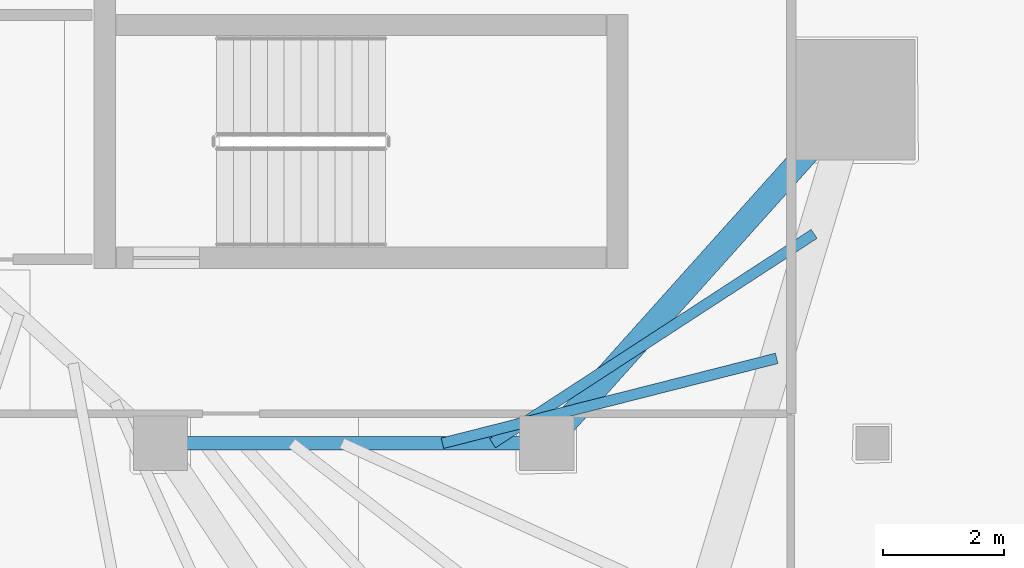
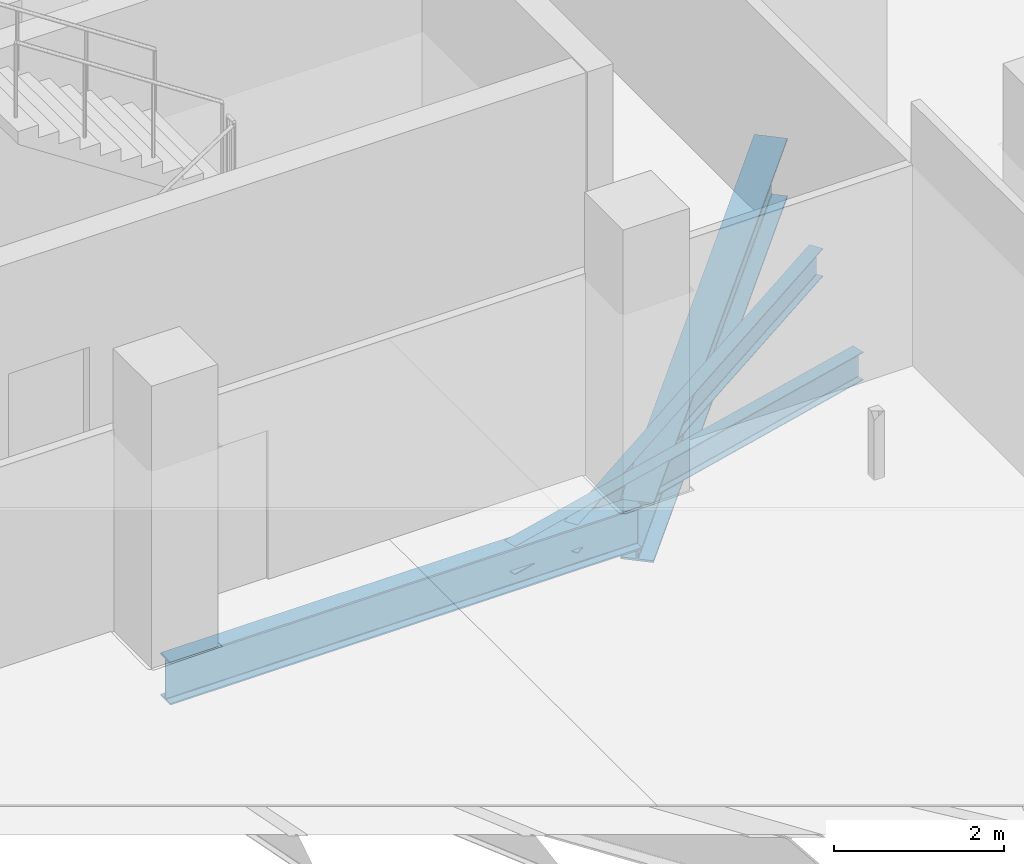
# One storey, part 13 of 36: 4 beams.
"""IFC4 building model written with IfcOpenShell, lengths in metres."""

from ifc_helpers import new_model, si_unit, direction, frame, origin, origin_2d, place, context, subcontext, project, spatial, i_section, extrude, material, material_profile, profile_set, type_object, element, save


model = new_model("IFC4")

# Units and contexts
model_context = context("Model", 3, precision=1e-05, world=origin(), true_north=direction((0.0, 1.0)))
body_context = subcontext(model_context, "Body", "Model", "MODEL_VIEW")
ifc_project = project(units=[si_unit("LENGTHUNIT", "METRE"), si_unit("AREAUNIT", "SQUARE_METRE"), si_unit("VOLUMEUNIT", "CUBIC_METRE"), si_unit("PLANEANGLEUNIT", "RADIAN"), si_unit("MASSUNIT", "GRAM", prefix="KILO")], contexts=[model_context])

# Site, building, storey
site_placement = place(None, origin())
site = spatial("IfcSite", under=ifc_project, at=site_placement, CompositionType="ELEMENT")
building_placement = place(site_placement, origin())
building = spatial("IfcBuilding", under=site, at=building_placement, Name="Qorvath Tower", CompositionType="ELEMENT")
storey_placement = place(building_placement, frame((0.0, 0.0, 192.89990234375)))
storey = spatial("IfcBuildingStorey", under=building, at=storey_placement, Name="L44", CompositionType="ELEMENT", Elevation=192.89990234375)

# Beams
ifc_material_1 = material(Name="Steel ASTM A992 Grade 50", Category="steel")
ifc_material_profile_1 = material_profile(ifc_material_1, i_section(OverallWidth=0.39892578125, OverallDepth=0.85498046875, WebThickness=0.018310546875, FlangeThickness=0.029296875, FilletRadius=0.02001953125, at=origin_2d()), Name="W33x201")
ifc_profile_set_1 = profile_set([ifc_material_profile_1], Name="Steel ASTM A992 Grade 50")
beam_type_1 = type_object("IfcBeamType", Name="BM-FG2", PredefinedType="BEAM", material=ifc_profile_set_1)
beam_1_placement = place(storey_placement, frame((-17.199951171875, -11.449951171875, -0.697509765625), z_axis=(0.667543184261, 0.744571082669, 0.0), x_axis=(-0.744571082669, 0.667543184261, 0.0)))
element("IfcBeam", 1, at=beam_1_placement, inside=storey, type_object=beam_type_1, Name="Radial Floor Girder CC3-MC4 L44", PredefinedType="BEAM", context=body_context, shape_type="SweptSolid", body=[
    extrude(i_section(OverallWidth=0.39892578125, OverallDepth=0.85498046875, WebThickness=0.018310546875, FlangeThickness=0.029296875, FilletRadius=0.02001953125, at=origin_2d()), origin(), (0.0, 0.0, 1.0), 7.644775390625),
])
ifc_material_2 = material(Name="Steel ASTM A992 Grade 50", Category="steel")
ifc_material_profile_2 = material_profile(ifc_material_2, i_section(OverallWidth=0.22998046875, OverallDepth=0.616943359375, WebThickness=0.01318359375, FlangeThickness=0.022216796875, FilletRadius=0.014892578125, at=origin_2d()), Name="W24x94")
ifc_profile_set_2 = profile_set([ifc_material_profile_2], Name="Steel ASTM A992 Grade 50")
beam_type_2 = type_object("IfcBeamType", Name="BM-FG6", PredefinedType="BEAM", material=ifc_profile_set_2)
beam_2_placement = place(storey_placement, frame((-17.199951171875, -11.449951171875, -0.57861328125), z_axis=(-1.0, 0.0, 0.0), x_axis=(0.0, -1.0, 0.0)))
element("IfcBeam", 2, at=beam_2_placement, inside=storey, type_object=beam_type_2, Name="Core Ring Girder CC3-CC4 L44", PredefinedType="BEAM", context=body_context, shape_type="SweptSolid", body=[
    extrude(i_section(OverallWidth=0.22998046875, OverallDepth=0.616943359375, WebThickness=0.01318359375, FlangeThickness=0.022216796875, FilletRadius=0.014892578125, at=origin_2d()), origin(), (0.0, 0.0, 1.0), 6.400146484375),
])
ifc_material_3 = material(Name="Steel ASTM A992 Grade 50", Category="steel")
ifc_material_profile_3 = material_profile(ifc_material_3, i_section(OverallWidth=0.177978515625, OverallDepth=0.406005859375, WebThickness=0.0078125, FlangeThickness=0.0126953125, FilletRadius=0.010986328125, at=origin_2d()), Name="W16x40")
ifc_profile_set_3 = profile_set([ifc_material_profile_3], Name="Steel ASTM A992 Grade 50")
beam_type_3 = type_object("IfcBeamType", Name="BM-FJ3", PredefinedType="JOIST", material=ifc_profile_set_3)
beam_3_placement = place(storey_placement, frame((-18.095947265625, -11.449951171875, -0.472900390625), z_axis=(0.838041756057, 0.545606098853, 0.0), x_axis=(-0.545606098853, 0.838041756057, 0.0)))
element("IfcBeam", 3, at=beam_3_placement, inside=storey, type_object=beam_type_3, Name="Composite Floor Joist SE1 L44", PredefinedType="JOIST", context=body_context, shape_type="SweptSolid", body=[
    extrude(i_section(OverallWidth=0.177978515625, OverallDepth=0.406005859375, WebThickness=0.0078125, FlangeThickness=0.0126953125, FilletRadius=0.010986328125, at=origin_2d()), origin(), (0.0, 0.0, 1.0), 6.36083984375),
])
beam_4_placement = place(storey_placement, frame((-18.927978515625, -11.449951171875, -0.472900390625), z_axis=(0.969231577698, 0.246150662794, 0.0), x_axis=(-0.246150662794, 0.969231577698, 0.0)))
element("IfcBeam", 4, at=beam_4_placement, inside=storey, type_object=beam_type_3, Name="Composite Floor Joist SE2 L44", PredefinedType="JOIST", context=body_context, shape_type="SweptSolid", body=[
    extrude(i_section(OverallWidth=0.177978515625, OverallDepth=0.406005859375, WebThickness=0.0078125, FlangeThickness=0.0126953125, FilletRadius=0.010986328125, at=origin_2d()), origin(), (0.0, 0.0, 1.0), 5.718017578125),
])

save(model, "model.ifc")
